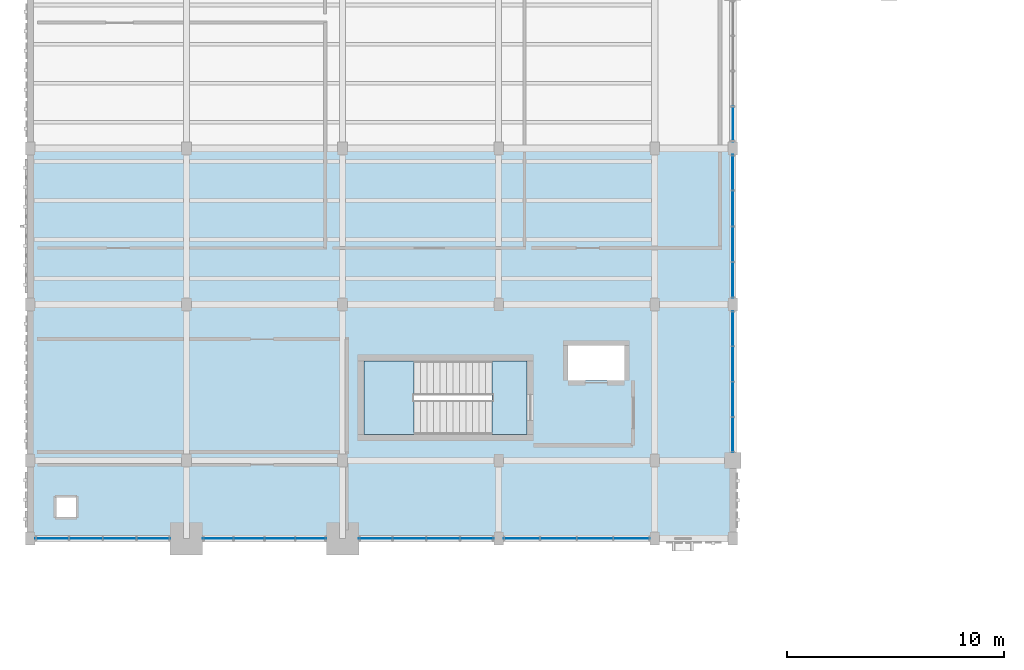
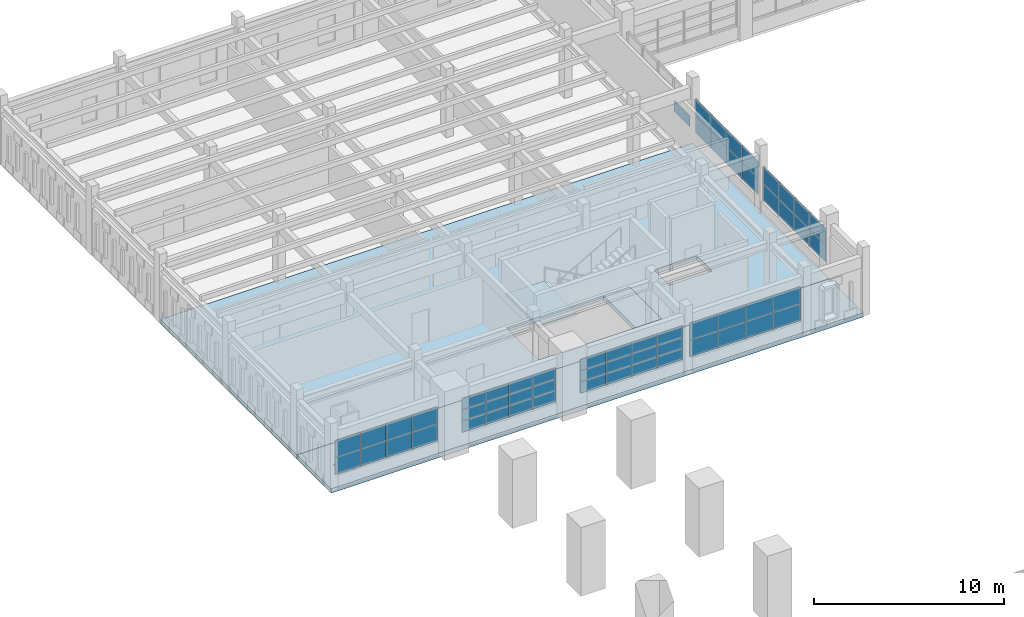
# One storey, part 36 of 69: 57 plates, 4 slabs, 8 elements without a shape of their own.
"""IFC4 building model written with IfcOpenShell, lengths in metres."""

from ifc_helpers import new_model, si_unit, direction, frame, origin, origin_2d, place, context, subcontext, project, spatial, polyline, rectangle, outline, extrude, material, layer, layer_set, type_object, element, aggregate, save


model = new_model("IFC4")

# Units and contexts
model_context = context("Model", 3, precision=1e-05, world=origin(), true_north=direction((0.0, 1.0)))
body_context = subcontext(model_context, "Body", "Model", "MODEL_VIEW")
ifc_project = project(units=[si_unit("LENGTHUNIT", "METRE"), si_unit("AREAUNIT", "SQUARE_METRE"), si_unit("VOLUMEUNIT", "CUBIC_METRE"), si_unit("PLANEANGLEUNIT", "RADIAN"), si_unit("MASSUNIT", "GRAM", prefix="KILO")], contexts=[model_context])

# Site, building, storey
site_placement = place(None, origin())
site = spatial("IfcSite", under=ifc_project, at=site_placement, CompositionType="ELEMENT")
building_placement = place(site_placement, origin())
building = spatial("IfcBuilding", under=site, at=building_placement, Name="Nzembalo Square Collegiate School", CompositionType="ELEMENT")
storey_placement = place(building_placement, frame((0.0, 0.0, 5.10009765625)))
storey = spatial("IfcBuildingStorey", under=building, at=storey_placement, Name="L01", CompositionType="ELEMENT", Elevation=5.10009765625)

# Curtain wall, plates
ifc_material_1 = material(Name="Aluminium 6060-T66", Category="aluminium")
curtain_wall_type_1 = type_object("IfcCurtainWallType", Name="CW-01", PredefinedType="USERDEFINED", material=ifc_material_1)
curtain_wall_1_placement = place(storey_placement, origin())
curtain_wall_1 = element("IfcCurtainWall", 1, at=curtain_wall_1_placement, inside=storey, type_object=curtain_wall_type_1, Name="Curtain wall CW-01 cw:L01:064", ObjectType="UNITISED", PredefinedType="USERDEFINED")
ifc_material_2 = material(Name="Laminated solar-control double glazing", Category="glass")
ifc_layer_1 = layer(ifc_material_2, 0.028076171875, Name="Laminated solar-control double glazing")
ifc_layer_set_1 = layer_set([ifc_layer_1], Name="Laminated solar-control double glazing")
plate_type_1 = type_object("IfcPlateType", Name="PN01", PredefinedType="CURTAIN_PANEL", material=ifc_layer_set_1)
plate_1_placement = place(storey_placement, frame((17.06396484375, 79.199951171875, 0.85400390625), z_axis=(0.0, 0.0, 1.0), x_axis=(1.0, 0.0, 0.0)))
plate_1 = element("IfcPlate", 2, at=plate_1_placement, type_object=plate_type_1, Name="PN01 glazed panel 1-1", PredefinedType="CURTAIN_PANEL", context=body_context, shape_type="SweptSolid", body=[
    extrude(rectangle(XDim=1.416015625, YDim=0.028076171875, at=origin_2d()), origin(), (0.0, 0.0, 1.0), 0.716552734375),
])
plate_2_placement = place(storey_placement, frame((18.488037109375, 79.199951171875, 0.85400390625), z_axis=(0.0, 0.0, 1.0), x_axis=(1.0, 0.0, 0.0)))
plate_2 = element("IfcPlate", 3, at=plate_2_placement, type_object=plate_type_1, Name="PN01 glazed panel 1-2", PredefinedType="CURTAIN_PANEL", context=body_context, shape_type="SweptSolid", body=[
    extrude(rectangle(XDim=1.416015625, YDim=0.028076171875, at=origin_2d()), origin(), (0.0, 0.0, 1.0), 0.716552734375),
])
plate_3_placement = place(storey_placement, frame((19.912109375, 79.199951171875, 0.85400390625), z_axis=(0.0, 0.0, 1.0), x_axis=(1.0, 0.0, 0.0)))
plate_3 = element("IfcPlate", 4, at=plate_3_placement, type_object=plate_type_1, Name="PN01 glazed panel 1-3", PredefinedType="CURTAIN_PANEL", context=body_context, shape_type="SweptSolid", body=[
    extrude(rectangle(XDim=1.416015625, YDim=0.028076171875, at=origin_2d()), origin(), (0.0, 0.0, 1.0), 0.716552734375),
])
plate_4_placement = place(storey_placement, frame((21.3359375, 79.199951171875, 0.85400390625), z_axis=(0.0, 0.0, 1.0), x_axis=(1.0, 0.0, 0.0)))
plate_4 = element("IfcPlate", 5, at=plate_4_placement, type_object=plate_type_1, Name="PN01 glazed panel 1-4", PredefinedType="CURTAIN_PANEL", context=body_context, shape_type="SweptSolid", body=[
    extrude(rectangle(XDim=1.416015625, YDim=0.028076171875, at=origin_2d()), origin(), (0.0, 0.0, 1.0), 0.716552734375),
])
plate_5_placement = place(storey_placement, frame((17.06396484375, 79.199951171875, 1.57861328125), z_axis=(0.0, 0.0, 1.0), x_axis=(1.0, 0.0, 0.0)))
plate_5 = element("IfcPlate", 6, at=plate_5_placement, type_object=plate_type_1, Name="PN01 glazed panel 2-1", PredefinedType="CURTAIN_PANEL", context=body_context, shape_type="SweptSolid", body=[
    extrude(rectangle(XDim=1.416015625, YDim=0.028076171875, at=origin_2d()), origin(), (0.0, 0.0, 1.0), 0.716552734375),
])
plate_6_placement = place(storey_placement, frame((18.488037109375, 79.199951171875, 1.57861328125), z_axis=(0.0, 0.0, 1.0), x_axis=(1.0, 0.0, 0.0)))
plate_6 = element("IfcPlate", 7, at=plate_6_placement, type_object=plate_type_1, Name="PN01 glazed panel 2-2", PredefinedType="CURTAIN_PANEL", context=body_context, shape_type="SweptSolid", body=[
    extrude(rectangle(XDim=1.416015625, YDim=0.028076171875, at=origin_2d()), origin(), (0.0, 0.0, 1.0), 0.716552734375),
])
plate_7_placement = place(storey_placement, frame((19.912109375, 79.199951171875, 1.57861328125), z_axis=(0.0, 0.0, 1.0), x_axis=(1.0, 0.0, 0.0)))
plate_7 = element("IfcPlate", 8, at=plate_7_placement, type_object=plate_type_1, Name="PN01 glazed panel 2-3", PredefinedType="CURTAIN_PANEL", context=body_context, shape_type="SweptSolid", body=[
    extrude(rectangle(XDim=1.416015625, YDim=0.028076171875, at=origin_2d()), origin(), (0.0, 0.0, 1.0), 0.716552734375),
])
plate_8_placement = place(storey_placement, frame((21.3359375, 79.199951171875, 1.57861328125), z_axis=(0.0, 0.0, 1.0), x_axis=(1.0, 0.0, 0.0)))
plate_8 = element("IfcPlate", 9, at=plate_8_placement, type_object=plate_type_1, Name="PN01 glazed panel 2-4", PredefinedType="CURTAIN_PANEL", context=body_context, shape_type="SweptSolid", body=[
    extrude(rectangle(XDim=1.416015625, YDim=0.028076171875, at=origin_2d()), origin(), (0.0, 0.0, 1.0), 0.716552734375),
])
plate_9_placement = place(storey_placement, frame((17.06396484375, 79.199951171875, 2.30322265625), z_axis=(0.0, 0.0, 1.0), x_axis=(1.0, 0.0, 0.0)))
plate_9 = element("IfcPlate", 10, at=plate_9_placement, type_object=plate_type_1, Name="PN01 glazed panel 3-1", PredefinedType="CURTAIN_PANEL", context=body_context, shape_type="SweptSolid", body=[
    extrude(rectangle(XDim=1.416015625, YDim=0.028076171875, at=origin_2d()), origin(), (0.0, 0.0, 1.0), 0.716552734375),
])
plate_10_placement = place(storey_placement, frame((18.488037109375, 79.199951171875, 2.30322265625), z_axis=(0.0, 0.0, 1.0), x_axis=(1.0, 0.0, 0.0)))
plate_10 = element("IfcPlate", 11, at=plate_10_placement, type_object=plate_type_1, Name="PN01 glazed panel 3-2", PredefinedType="CURTAIN_PANEL", context=body_context, shape_type="SweptSolid", body=[
    extrude(rectangle(XDim=1.416015625, YDim=0.028076171875, at=origin_2d()), origin(), (0.0, 0.0, 1.0), 0.716552734375),
])
plate_11_placement = place(storey_placement, frame((19.912109375, 79.199951171875, 2.30322265625), z_axis=(0.0, 0.0, 1.0), x_axis=(1.0, 0.0, 0.0)))
plate_11 = element("IfcPlate", 12, at=plate_11_placement, type_object=plate_type_1, Name="PN01 glazed panel 3-3", PredefinedType="CURTAIN_PANEL", context=body_context, shape_type="SweptSolid", body=[
    extrude(rectangle(XDim=1.416015625, YDim=0.028076171875, at=origin_2d()), origin(), (0.0, 0.0, 1.0), 0.716552734375),
])
plate_12_placement = place(storey_placement, frame((21.3359375, 79.199951171875, 2.30322265625), z_axis=(0.0, 0.0, 1.0), x_axis=(1.0, 0.0, 0.0)))
plate_12 = element("IfcPlate", 13, at=plate_12_placement, type_object=plate_type_1, Name="PN01 glazed panel 3-4", PredefinedType="CURTAIN_PANEL", context=body_context, shape_type="SweptSolid", body=[
    extrude(rectangle(XDim=1.416015625, YDim=0.028076171875, at=origin_2d()), origin(), (0.0, 0.0, 1.0), 0.716552734375),
])
aggregate(curtain_wall_1, [plate_1, plate_2, plate_3, plate_4, plate_5, plate_6, plate_7, plate_8, plate_9, plate_10, plate_11, plate_12])

ifc_material_3 = material(Name="Aluminium 6060-T66", Category="aluminium")
curtain_wall_type_2 = type_object("IfcCurtainWallType", Name="CW-02", PredefinedType="USERDEFINED", material=ifc_material_3)
curtain_wall_2_placement = place(storey_placement, origin())
curtain_wall_2 = element("IfcCurtainWall", 14, at=curtain_wall_2_placement, inside=storey, type_object=curtain_wall_type_2, Name="Curtain wall CW-02 cw:L01:065", ObjectType="UNITISED", PredefinedType="USERDEFINED")
plate_13_placement = place(storey_placement, frame((24.32958984375, 79.199951171875, 0.85400390625), z_axis=(0.0, 0.0, 1.0), x_axis=(1.0, 0.0, 0.0)))
plate_13 = element("IfcPlate", 15, at=plate_13_placement, type_object=plate_type_1, Name="PN01 glazed panel 1-1", PredefinedType="CURTAIN_PANEL", context=body_context, shape_type="SweptSolid", body=[
    extrude(rectangle(XDim=1.54736328125, YDim=0.028076171875, at=origin_2d()), origin(), (0.0, 0.0, 1.0), 0.716552734375),
])
plate_14_placement = place(storey_placement, frame((25.884765625, 79.199951171875, 0.85400390625), z_axis=(0.0, 0.0, 1.0), x_axis=(1.0, 0.0, 0.0)))
plate_14 = element("IfcPlate", 16, at=plate_14_placement, type_object=plate_type_1, Name="PN01 glazed panel 1-2", PredefinedType="CURTAIN_PANEL", context=body_context, shape_type="SweptSolid", body=[
    extrude(rectangle(XDim=1.54736328125, YDim=0.028076171875, at=origin_2d()), origin(), (0.0, 0.0, 1.0), 0.716552734375),
])
plate_15_placement = place(storey_placement, frame((27.440185546875, 79.199951171875, 0.85400390625), z_axis=(0.0, 0.0, 1.0), x_axis=(1.0, 0.0, 0.0)))
plate_15 = element("IfcPlate", 17, at=plate_15_placement, type_object=plate_type_1, Name="PN01 glazed panel 1-3", PredefinedType="CURTAIN_PANEL", context=body_context, shape_type="SweptSolid", body=[
    extrude(rectangle(XDim=1.54736328125, YDim=0.028076171875, at=origin_2d()), origin(), (0.0, 0.0, 1.0), 0.716552734375),
])
plate_16_placement = place(storey_placement, frame((28.995361328125, 79.199951171875, 0.85400390625), z_axis=(0.0, 0.0, 1.0), x_axis=(1.0, 0.0, 0.0)))
plate_16 = element("IfcPlate", 18, at=plate_16_placement, type_object=plate_type_1, Name="PN01 glazed panel 1-4", PredefinedType="CURTAIN_PANEL", context=body_context, shape_type="SweptSolid", body=[
    extrude(rectangle(XDim=1.54736328125, YDim=0.028076171875, at=origin_2d()), origin(), (0.0, 0.0, 1.0), 0.716552734375),
])
plate_17_placement = place(storey_placement, frame((24.32958984375, 79.199951171875, 1.57861328125), z_axis=(0.0, 0.0, 1.0), x_axis=(1.0, 0.0, 0.0)))
plate_17 = element("IfcPlate", 19, at=plate_17_placement, type_object=plate_type_1, Name="PN01 glazed panel 2-1", PredefinedType="CURTAIN_PANEL", context=body_context, shape_type="SweptSolid", body=[
    extrude(rectangle(XDim=1.54736328125, YDim=0.028076171875, at=origin_2d()), origin(), (0.0, 0.0, 1.0), 0.716552734375),
])
plate_18_placement = place(storey_placement, frame((25.884765625, 79.199951171875, 1.57861328125), z_axis=(0.0, 0.0, 1.0), x_axis=(1.0, 0.0, 0.0)))
plate_18 = element("IfcPlate", 20, at=plate_18_placement, type_object=plate_type_1, Name="PN01 glazed panel 2-2", PredefinedType="CURTAIN_PANEL", context=body_context, shape_type="SweptSolid", body=[
    extrude(rectangle(XDim=1.54736328125, YDim=0.028076171875, at=origin_2d()), origin(), (0.0, 0.0, 1.0), 0.716552734375),
])
plate_19_placement = place(storey_placement, frame((27.440185546875, 79.199951171875, 1.57861328125), z_axis=(0.0, 0.0, 1.0), x_axis=(1.0, 0.0, 0.0)))
plate_19 = element("IfcPlate", 21, at=plate_19_placement, type_object=plate_type_1, Name="PN01 glazed panel 2-3", PredefinedType="CURTAIN_PANEL", context=body_context, shape_type="SweptSolid", body=[
    extrude(rectangle(XDim=1.54736328125, YDim=0.028076171875, at=origin_2d()), origin(), (0.0, 0.0, 1.0), 0.716552734375),
])
plate_20_placement = place(storey_placement, frame((28.995361328125, 79.199951171875, 1.57861328125), z_axis=(0.0, 0.0, 1.0), x_axis=(1.0, 0.0, 0.0)))
plate_20 = element("IfcPlate", 22, at=plate_20_placement, type_object=plate_type_1, Name="PN01 glazed panel 2-4", PredefinedType="CURTAIN_PANEL", context=body_context, shape_type="SweptSolid", body=[
    extrude(rectangle(XDim=1.54736328125, YDim=0.028076171875, at=origin_2d()), origin(), (0.0, 0.0, 1.0), 0.716552734375),
])
plate_21_placement = place(storey_placement, frame((24.32958984375, 79.199951171875, 2.30322265625), z_axis=(0.0, 0.0, 1.0), x_axis=(1.0, 0.0, 0.0)))
plate_21 = element("IfcPlate", 23, at=plate_21_placement, type_object=plate_type_1, Name="PN01 glazed panel 3-1", PredefinedType="CURTAIN_PANEL", context=body_context, shape_type="SweptSolid", body=[
    extrude(rectangle(XDim=1.54736328125, YDim=0.028076171875, at=origin_2d()), origin(), (0.0, 0.0, 1.0), 0.716552734375),
])
plate_22_placement = place(storey_placement, frame((25.884765625, 79.199951171875, 2.30322265625), z_axis=(0.0, 0.0, 1.0), x_axis=(1.0, 0.0, 0.0)))
plate_22 = element("IfcPlate", 24, at=plate_22_placement, type_object=plate_type_1, Name="PN01 glazed panel 3-2", PredefinedType="CURTAIN_PANEL", context=body_context, shape_type="SweptSolid", body=[
    extrude(rectangle(XDim=1.54736328125, YDim=0.028076171875, at=origin_2d()), origin(), (0.0, 0.0, 1.0), 0.716552734375),
])
plate_23_placement = place(storey_placement, frame((27.440185546875, 79.199951171875, 2.30322265625), z_axis=(0.0, 0.0, 1.0), x_axis=(1.0, 0.0, 0.0)))
plate_23 = element("IfcPlate", 25, at=plate_23_placement, type_object=plate_type_1, Name="PN01 glazed panel 3-3", PredefinedType="CURTAIN_PANEL", context=body_context, shape_type="SweptSolid", body=[
    extrude(rectangle(XDim=1.54736328125, YDim=0.028076171875, at=origin_2d()), origin(), (0.0, 0.0, 1.0), 0.716552734375),
])
plate_24_placement = place(storey_placement, frame((28.995361328125, 79.199951171875, 2.30322265625), z_axis=(0.0, 0.0, 1.0), x_axis=(1.0, 0.0, 0.0)))
plate_24 = element("IfcPlate", 26, at=plate_24_placement, type_object=plate_type_1, Name="PN01 glazed panel 3-4", PredefinedType="CURTAIN_PANEL", context=body_context, shape_type="SweptSolid", body=[
    extrude(rectangle(XDim=1.54736328125, YDim=0.028076171875, at=origin_2d()), origin(), (0.0, 0.0, 1.0), 0.716552734375),
])
aggregate(curtain_wall_2, [plate_13, plate_14, plate_15, plate_16, plate_17, plate_18, plate_19, plate_20, plate_21, plate_22, plate_23, plate_24])

# Curtain wall, plate
ifc_material_4 = material(Name="Aluminium 6060-T66", Category="aluminium")
curtain_wall_type_3 = type_object("IfcCurtainWallType", Name="CW-05", PredefinedType="USERDEFINED", material=ifc_material_4)
curtain_wall_3_placement = place(storey_placement, origin())
curtain_wall_3 = element("IfcCurtainWall", 27, at=curtain_wall_3_placement, inside=storey, type_object=curtain_wall_type_3, Name="Curtain wall CW-05 cw:L01:092", ObjectType="LANCET", PredefinedType="USERDEFINED")
plate_25_placement = place(storey_placement, frame((40.800048828125, 98.317138671875, 0.85400390625), z_axis=(0.0, 0.0, 1.0), x_axis=(0.0, 1.0, 0.0)))
plate_25 = element("IfcPlate", 28, at=plate_25_placement, type_object=plate_type_1, Name="PN01 glazed panel 1-1", PredefinedType="CURTAIN_PANEL", context=body_context, shape_type="SweptSolid", body=[
    extrude(rectangle(XDim=1.622314453125, YDim=0.028076171875, at=origin_2d()), origin(), (0.0, 0.0, 1.0), 0.716552734375),
])
aggregate(curtain_wall_3, [plate_25])

# Curtain wall, plates
ifc_material_5 = material(Name="Aluminium 6060-T66", Category="aluminium")
curtain_wall_type_4 = type_object("IfcCurtainWallType", Name="CW-08", PredefinedType="USERDEFINED", material=ifc_material_5)
curtain_wall_4_placement = place(storey_placement, origin())
curtain_wall_4 = element("IfcCurtainWall", 29, at=curtain_wall_4_placement, inside=storey, type_object=curtain_wall_type_4, Name="Curtain wall CW-08 cw:L01:063", ObjectType="LANCET", PredefinedType="USERDEFINED")
ifc_material_6 = material(Name="Acoustic laminated solar-control glazing", Category="glass")
ifc_layer_2 = layer(ifc_material_6, 0.031982421875, Name="Acoustic laminated solar-control glazing")
ifc_layer_set_2 = layer_set([ifc_layer_2], Name="Acoustic laminated solar-control glazing")
plate_type_2 = type_object("IfcPlateType", Name="PN02", PredefinedType="CURTAIN_PANEL", material=ifc_layer_set_2)
plate_26_placement = place(storey_placement, frame((9.404541015625, 79.199951171875, 0.853759765625), z_axis=(0.0, 0.0, 1.0), x_axis=(1.0, 0.0, 0.0)))
plate_26 = element("IfcPlate", 30, at=plate_26_placement, type_object=plate_type_2, Name="PN02 glazed panel 1-1", PredefinedType="CURTAIN_PANEL", context=body_context, shape_type="SweptSolid", body=[
    extrude(rectangle(XDim=1.54736328125, YDim=0.031982421875, at=origin_2d()), origin(), (0.0, 0.0, 1.0), 1.0791015625),
])
plate_27_placement = place(storey_placement, frame((10.9599609375, 79.199951171875, 0.853759765625), z_axis=(0.0, 0.0, 1.0), x_axis=(1.0, 0.0, 0.0)))
plate_27 = element("IfcPlate", 31, at=plate_27_placement, type_object=plate_type_2, Name="PN02 glazed panel 1-2", PredefinedType="CURTAIN_PANEL", context=body_context, shape_type="SweptSolid", body=[
    extrude(rectangle(XDim=1.54736328125, YDim=0.031982421875, at=origin_2d()), origin(), (0.0, 0.0, 1.0), 1.0791015625),
])
plate_28_placement = place(storey_placement, frame((12.51513671875, 79.199951171875, 0.853759765625), z_axis=(0.0, 0.0, 1.0), x_axis=(1.0, 0.0, 0.0)))
plate_28 = element("IfcPlate", 32, at=plate_28_placement, type_object=plate_type_2, Name="PN02 glazed panel 1-3", PredefinedType="CURTAIN_PANEL", context=body_context, shape_type="SweptSolid", body=[
    extrude(rectangle(XDim=1.54736328125, YDim=0.031982421875, at=origin_2d()), origin(), (0.0, 0.0, 1.0), 1.0791015625),
])
plate_29_placement = place(storey_placement, frame((14.0703125, 79.199951171875, 0.853759765625), z_axis=(0.0, 0.0, 1.0), x_axis=(1.0, 0.0, 0.0)))
plate_29 = element("IfcPlate", 33, at=plate_29_placement, type_object=plate_type_2, Name="PN02 glazed panel 1-4", PredefinedType="CURTAIN_PANEL", context=body_context, shape_type="SweptSolid", body=[
    extrude(rectangle(XDim=1.54736328125, YDim=0.031982421875, at=origin_2d()), origin(), (0.0, 0.0, 1.0), 1.0791015625),
])
plate_30_placement = place(storey_placement, frame((9.404541015625, 79.199951171875, 1.94091796875), z_axis=(0.0, 0.0, 1.0), x_axis=(1.0, 0.0, 0.0)))
plate_30 = element("IfcPlate", 34, at=plate_30_placement, type_object=plate_type_2, Name="PN02 glazed panel 2-1", PredefinedType="CURTAIN_PANEL", context=body_context, shape_type="SweptSolid", body=[
    extrude(rectangle(XDim=1.54736328125, YDim=0.031982421875, at=origin_2d()), origin(), (0.0, 0.0, 1.0), 1.0791015625),
])
plate_31_placement = place(storey_placement, frame((10.9599609375, 79.199951171875, 1.94091796875), z_axis=(0.0, 0.0, 1.0), x_axis=(1.0, 0.0, 0.0)))
plate_31 = element("IfcPlate", 35, at=plate_31_placement, type_object=plate_type_2, Name="PN02 glazed panel 2-2", PredefinedType="CURTAIN_PANEL", context=body_context, shape_type="SweptSolid", body=[
    extrude(rectangle(XDim=1.54736328125, YDim=0.031982421875, at=origin_2d()), origin(), (0.0, 0.0, 1.0), 1.0791015625),
])
plate_32_placement = place(storey_placement, frame((12.51513671875, 79.199951171875, 1.94091796875), z_axis=(0.0, 0.0, 1.0), x_axis=(1.0, 0.0, 0.0)))
plate_32 = element("IfcPlate", 36, at=plate_32_placement, type_object=plate_type_2, Name="PN02 glazed panel 2-3", PredefinedType="CURTAIN_PANEL", context=body_context, shape_type="SweptSolid", body=[
    extrude(rectangle(XDim=1.54736328125, YDim=0.031982421875, at=origin_2d()), origin(), (0.0, 0.0, 1.0), 1.0791015625),
])
plate_33_placement = place(storey_placement, frame((14.0703125, 79.199951171875, 1.94091796875), z_axis=(0.0, 0.0, 1.0), x_axis=(1.0, 0.0, 0.0)))
plate_33 = element("IfcPlate", 37, at=plate_33_placement, type_object=plate_type_2, Name="PN02 glazed panel 2-4", PredefinedType="CURTAIN_PANEL", context=body_context, shape_type="SweptSolid", body=[
    extrude(rectangle(XDim=1.54736328125, YDim=0.031982421875, at=origin_2d()), origin(), (0.0, 0.0, 1.0), 1.0791015625),
])
aggregate(curtain_wall_4, [plate_26, plate_27, plate_28, plate_29, plate_30, plate_31, plate_32, plate_33])

ifc_material_7 = material(Name="Aluminium 6060-T66", Category="aluminium")
curtain_wall_type_5 = type_object("IfcCurtainWallType", Name="CW-03", PredefinedType="USERDEFINED", material=ifc_material_7)
curtain_wall_5_placement = place(storey_placement, origin())
curtain_wall_5 = element("IfcCurtainWall", 38, at=curtain_wall_5_placement, inside=storey, type_object=curtain_wall_type_5, Name="Curtain wall CW-03 cw:L01:066", ObjectType="UNITISED", PredefinedType="USERDEFINED")
plate_34_placement = place(storey_placement, frame((31.0703125, 79.199951171875, 0.853759765625), z_axis=(0.0, 0.0, 1.0), x_axis=(1.0, 0.0, 0.0)))
plate_34 = element("IfcPlate", 39, at=plate_34_placement, type_object=plate_type_2, Name="PN02 glazed panel 1-1", PredefinedType="CURTAIN_PANEL", context=body_context, shape_type="SweptSolid", body=[
    extrude(rectangle(XDim=1.678466796875, YDim=0.031982421875, at=origin_2d()), origin(), (0.0, 0.0, 1.0), 1.0791015625),
])
plate_35_placement = place(storey_placement, frame((32.7568359375, 79.199951171875, 0.853759765625), z_axis=(0.0, 0.0, 1.0), x_axis=(1.0, 0.0, 0.0)))
plate_35 = element("IfcPlate", 40, at=plate_35_placement, type_object=plate_type_2, Name="PN02 glazed panel 1-2", PredefinedType="CURTAIN_PANEL", context=body_context, shape_type="SweptSolid", body=[
    extrude(rectangle(XDim=1.678466796875, YDim=0.031982421875, at=origin_2d()), origin(), (0.0, 0.0, 1.0), 1.0791015625),
])
plate_36_placement = place(storey_placement, frame((34.443359375, 79.199951171875, 0.853759765625), z_axis=(0.0, 0.0, 1.0), x_axis=(1.0, 0.0, 0.0)))
plate_36 = element("IfcPlate", 41, at=plate_36_placement, type_object=plate_type_2, Name="PN02 glazed panel 1-3", PredefinedType="CURTAIN_PANEL", context=body_context, shape_type="SweptSolid", body=[
    extrude(rectangle(XDim=1.678466796875, YDim=0.031982421875, at=origin_2d()), origin(), (0.0, 0.0, 1.0), 1.0791015625),
])
plate_37_placement = place(storey_placement, frame((36.129638671875, 79.199951171875, 0.853759765625), z_axis=(0.0, 0.0, 1.0), x_axis=(1.0, 0.0, 0.0)))
plate_37 = element("IfcPlate", 42, at=plate_37_placement, type_object=plate_type_2, Name="PN02 glazed panel 1-4", PredefinedType="CURTAIN_PANEL", context=body_context, shape_type="SweptSolid", body=[
    extrude(rectangle(XDim=1.678466796875, YDim=0.031982421875, at=origin_2d()), origin(), (0.0, 0.0, 1.0), 1.0791015625),
])
plate_38_placement = place(storey_placement, frame((31.0703125, 79.199951171875, 1.94091796875), z_axis=(0.0, 0.0, 1.0), x_axis=(1.0, 0.0, 0.0)))
plate_38 = element("IfcPlate", 43, at=plate_38_placement, type_object=plate_type_2, Name="PN02 glazed panel 2-1", PredefinedType="CURTAIN_PANEL", context=body_context, shape_type="SweptSolid", body=[
    extrude(rectangle(XDim=1.678466796875, YDim=0.031982421875, at=origin_2d()), origin(), (0.0, 0.0, 1.0), 1.0791015625),
])
plate_39_placement = place(storey_placement, frame((32.7568359375, 79.199951171875, 1.94091796875), z_axis=(0.0, 0.0, 1.0), x_axis=(1.0, 0.0, 0.0)))
plate_39 = element("IfcPlate", 44, at=plate_39_placement, type_object=plate_type_2, Name="PN02 glazed panel 2-2", PredefinedType="CURTAIN_PANEL", context=body_context, shape_type="SweptSolid", body=[
    extrude(rectangle(XDim=1.678466796875, YDim=0.031982421875, at=origin_2d()), origin(), (0.0, 0.0, 1.0), 1.0791015625),
])
plate_40_placement = place(storey_placement, frame((34.443359375, 79.199951171875, 1.94091796875), z_axis=(0.0, 0.0, 1.0), x_axis=(1.0, 0.0, 0.0)))
plate_40 = element("IfcPlate", 45, at=plate_40_placement, type_object=plate_type_2, Name="PN02 glazed panel 2-3", PredefinedType="CURTAIN_PANEL", context=body_context, shape_type="SweptSolid", body=[
    extrude(rectangle(XDim=1.678466796875, YDim=0.031982421875, at=origin_2d()), origin(), (0.0, 0.0, 1.0), 1.0791015625),
])
plate_41_placement = place(storey_placement, frame((36.129638671875, 79.199951171875, 1.94091796875), z_axis=(0.0, 0.0, 1.0), x_axis=(1.0, 0.0, 0.0)))
plate_41 = element("IfcPlate", 46, at=plate_41_placement, type_object=plate_type_2, Name="PN02 glazed panel 2-4", PredefinedType="CURTAIN_PANEL", context=body_context, shape_type="SweptSolid", body=[
    extrude(rectangle(XDim=1.678466796875, YDim=0.031982421875, at=origin_2d()), origin(), (0.0, 0.0, 1.0), 1.0791015625),
])
aggregate(curtain_wall_5, [plate_34, plate_35, plate_36, plate_37, plate_38, plate_39, plate_40, plate_41])

curtain_wall_6_placement = place(storey_placement, origin())
curtain_wall_6 = element("IfcCurtainWall", 47, at=curtain_wall_6_placement, inside=storey, type_object=curtain_wall_type_5, Name="Curtain wall CW-03 cw:L01:090", ObjectType="UNITISED", PredefinedType="USERDEFINED")
plate_42_placement = place(storey_placement, frame((40.800048828125, 83.9921875, 0.853759765625), z_axis=(0.0, 0.0, 1.0), x_axis=(0.0, 1.0, 0.0)))
plate_42 = element("IfcPlate", 48, at=plate_42_placement, type_object=plate_type_2, Name="PN02 glazed panel 1-1", PredefinedType="CURTAIN_PANEL", context=body_context, shape_type="SweptSolid", body=[
    extrude(rectangle(XDim=1.622314453125, YDim=0.031982421875, at=origin_2d()), origin(), (0.0, 0.0, 1.0), 1.0791015625),
])
plate_43_placement = place(storey_placement, frame((40.800048828125, 85.622314453125, 0.853759765625), z_axis=(0.0, 0.0, 1.0), x_axis=(0.0, 1.0, 0.0)))
plate_43 = element("IfcPlate", 49, at=plate_43_placement, type_object=plate_type_2, Name="PN02 glazed panel 1-2", PredefinedType="CURTAIN_PANEL", context=body_context, shape_type="SweptSolid", body=[
    extrude(rectangle(XDim=1.622314453125, YDim=0.031982421875, at=origin_2d()), origin(), (0.0, 0.0, 1.0), 1.0791015625),
])
plate_44_placement = place(storey_placement, frame((40.800048828125, 87.252685546875, 0.853759765625), z_axis=(0.0, 0.0, 1.0), x_axis=(0.0, 1.0, 0.0)))
plate_44 = element("IfcPlate", 50, at=plate_44_placement, type_object=plate_type_2, Name="PN02 glazed panel 1-3", PredefinedType="CURTAIN_PANEL", context=body_context, shape_type="SweptSolid", body=[
    extrude(rectangle(XDim=1.622314453125, YDim=0.031982421875, at=origin_2d()), origin(), (0.0, 0.0, 1.0), 1.0791015625),
])
plate_45_placement = place(storey_placement, frame((40.800048828125, 88.8828125, 0.853759765625), z_axis=(0.0, 0.0, 1.0), x_axis=(0.0, 1.0, 0.0)))
plate_45 = element("IfcPlate", 51, at=plate_45_placement, type_object=plate_type_2, Name="PN02 glazed panel 1-4", PredefinedType="CURTAIN_PANEL", context=body_context, shape_type="SweptSolid", body=[
    extrude(rectangle(XDim=1.622314453125, YDim=0.031982421875, at=origin_2d()), origin(), (0.0, 0.0, 1.0), 1.0791015625),
])
plate_46_placement = place(storey_placement, frame((40.800048828125, 83.9921875, 1.94091796875), z_axis=(0.0, 0.0, 1.0), x_axis=(0.0, 1.0, 0.0)))
plate_46 = element("IfcPlate", 52, at=plate_46_placement, type_object=plate_type_2, Name="PN02 glazed panel 2-1", PredefinedType="CURTAIN_PANEL", context=body_context, shape_type="SweptSolid", body=[
    extrude(rectangle(XDim=1.622314453125, YDim=0.031982421875, at=origin_2d()), origin(), (0.0, 0.0, 1.0), 1.0791015625),
])
plate_47_placement = place(storey_placement, frame((40.800048828125, 85.622314453125, 1.94091796875), z_axis=(0.0, 0.0, 1.0), x_axis=(0.0, 1.0, 0.0)))
plate_47 = element("IfcPlate", 53, at=plate_47_placement, type_object=plate_type_2, Name="PN02 glazed panel 2-2", PredefinedType="CURTAIN_PANEL", context=body_context, shape_type="SweptSolid", body=[
    extrude(rectangle(XDim=1.622314453125, YDim=0.031982421875, at=origin_2d()), origin(), (0.0, 0.0, 1.0), 1.0791015625),
])
plate_48_placement = place(storey_placement, frame((40.800048828125, 87.252685546875, 1.94091796875), z_axis=(0.0, 0.0, 1.0), x_axis=(0.0, 1.0, 0.0)))
plate_48 = element("IfcPlate", 54, at=plate_48_placement, type_object=plate_type_2, Name="PN02 glazed panel 2-3", PredefinedType="CURTAIN_PANEL", context=body_context, shape_type="SweptSolid", body=[
    extrude(rectangle(XDim=1.622314453125, YDim=0.031982421875, at=origin_2d()), origin(), (0.0, 0.0, 1.0), 1.0791015625),
])
plate_49_placement = place(storey_placement, frame((40.800048828125, 88.8828125, 1.94091796875), z_axis=(0.0, 0.0, 1.0), x_axis=(0.0, 1.0, 0.0)))
plate_49 = element("IfcPlate", 55, at=plate_49_placement, type_object=plate_type_2, Name="PN02 glazed panel 2-4", PredefinedType="CURTAIN_PANEL", context=body_context, shape_type="SweptSolid", body=[
    extrude(rectangle(XDim=1.622314453125, YDim=0.031982421875, at=origin_2d()), origin(), (0.0, 0.0, 1.0), 1.0791015625),
])
aggregate(curtain_wall_6, [plate_42, plate_43, plate_44, plate_45, plate_46, plate_47, plate_48, plate_49])

ifc_material_8 = material(Name="Aluminium 6060-T66", Category="aluminium")
curtain_wall_type_6 = type_object("IfcCurtainWallType", Name="CW-04", PredefinedType="USERDEFINED", material=ifc_material_8)
curtain_wall_7_placement = place(storey_placement, origin())
curtain_wall_7 = element("IfcCurtainWall", 56, at=curtain_wall_7_placement, inside=storey, type_object=curtain_wall_type_6, Name="Curtain wall CW-04 cw:L01:091", ObjectType="UNITISED", PredefinedType="USERDEFINED")
plate_50_placement = place(storey_placement, frame((40.800048828125, 91.12646484375, 0.853759765625), z_axis=(0.0, 0.0, 1.0), x_axis=(0.0, 1.0, 0.0)))
plate_50 = element("IfcPlate", 57, at=plate_50_placement, type_object=plate_type_2, Name="PN02 glazed panel 1-1", PredefinedType="CURTAIN_PANEL", context=body_context, shape_type="SweptSolid", body=[
    extrude(rectangle(XDim=1.64111328125, YDim=0.031982421875, at=origin_2d()), origin(), (0.0, 0.0, 1.0), 1.0791015625),
])
plate_51_placement = place(storey_placement, frame((40.800048828125, 92.775390625, 0.853759765625), z_axis=(0.0, 0.0, 1.0), x_axis=(0.0, 1.0, 0.0)))
plate_51 = element("IfcPlate", 58, at=plate_51_placement, type_object=plate_type_2, Name="PN02 glazed panel 1-2", PredefinedType="CURTAIN_PANEL", context=body_context, shape_type="SweptSolid", body=[
    extrude(rectangle(XDim=1.64111328125, YDim=0.031982421875, at=origin_2d()), origin(), (0.0, 0.0, 1.0), 1.0791015625),
])
plate_52_placement = place(storey_placement, frame((40.800048828125, 94.424560546875, 0.853759765625), z_axis=(0.0, 0.0, 1.0), x_axis=(0.0, 1.0, 0.0)))
plate_52 = element("IfcPlate", 59, at=plate_52_placement, type_object=plate_type_2, Name="PN02 glazed panel 1-3", PredefinedType="CURTAIN_PANEL", context=body_context, shape_type="SweptSolid", body=[
    extrude(rectangle(XDim=1.64111328125, YDim=0.031982421875, at=origin_2d()), origin(), (0.0, 0.0, 1.0), 1.0791015625),
])
plate_53_placement = place(storey_placement, frame((40.800048828125, 96.073486328125, 0.853759765625), z_axis=(0.0, 0.0, 1.0), x_axis=(0.0, 1.0, 0.0)))
plate_53 = element("IfcPlate", 60, at=plate_53_placement, type_object=plate_type_2, Name="PN02 glazed panel 1-4", PredefinedType="CURTAIN_PANEL", context=body_context, shape_type="SweptSolid", body=[
    extrude(rectangle(XDim=1.64111328125, YDim=0.031982421875, at=origin_2d()), origin(), (0.0, 0.0, 1.0), 1.0791015625),
])
plate_54_placement = place(storey_placement, frame((40.800048828125, 91.12646484375, 1.94091796875), z_axis=(0.0, 0.0, 1.0), x_axis=(0.0, 1.0, 0.0)))
plate_54 = element("IfcPlate", 61, at=plate_54_placement, type_object=plate_type_2, Name="PN02 glazed panel 2-1", PredefinedType="CURTAIN_PANEL", context=body_context, shape_type="SweptSolid", body=[
    extrude(rectangle(XDim=1.64111328125, YDim=0.031982421875, at=origin_2d()), origin(), (0.0, 0.0, 1.0), 1.0791015625),
])
plate_55_placement = place(storey_placement, frame((40.800048828125, 92.775390625, 1.94091796875), z_axis=(0.0, 0.0, 1.0), x_axis=(0.0, 1.0, 0.0)))
plate_55 = element("IfcPlate", 62, at=plate_55_placement, type_object=plate_type_2, Name="PN02 glazed panel 2-2", PredefinedType="CURTAIN_PANEL", context=body_context, shape_type="SweptSolid", body=[
    extrude(rectangle(XDim=1.64111328125, YDim=0.031982421875, at=origin_2d()), origin(), (0.0, 0.0, 1.0), 1.0791015625),
])
plate_56_placement = place(storey_placement, frame((40.800048828125, 94.424560546875, 1.94091796875), z_axis=(0.0, 0.0, 1.0), x_axis=(0.0, 1.0, 0.0)))
plate_56 = element("IfcPlate", 63, at=plate_56_placement, type_object=plate_type_2, Name="PN02 glazed panel 2-3", PredefinedType="CURTAIN_PANEL", context=body_context, shape_type="SweptSolid", body=[
    extrude(rectangle(XDim=1.64111328125, YDim=0.031982421875, at=origin_2d()), origin(), (0.0, 0.0, 1.0), 1.0791015625),
])
plate_57_placement = place(storey_placement, frame((40.800048828125, 96.073486328125, 1.94091796875), z_axis=(0.0, 0.0, 1.0), x_axis=(0.0, 1.0, 0.0)))
plate_57 = element("IfcPlate", 64, at=plate_57_placement, type_object=plate_type_2, Name="PN02 glazed panel 2-4", PredefinedType="CURTAIN_PANEL", context=body_context, shape_type="SweptSolid", body=[
    extrude(rectangle(XDim=1.64111328125, YDim=0.031982421875, at=origin_2d()), origin(), (0.0, 0.0, 1.0), 1.0791015625),
])
aggregate(curtain_wall_7, [plate_50, plate_51, plate_52, plate_53, plate_54, plate_55, plate_56, plate_57])

# Stair, slab
ifc_material_9 = material(Name="Precast concrete C40/50", Category="concrete")
stair_type = type_object("IfcStairType", Name="ST-26R", PredefinedType="HALF_TURN_STAIR", material=ifc_material_9)
stair_placement = place(storey_placement, origin())
stair = element("IfcStair", 65, at=stair_placement, inside=storey, type_object=stair_type, Name="Escape stair ST-07 (C2 L01)", PredefinedType="HALF_TURN_STAIR")
ifc_material_10 = material(Name="Precast concrete C40/50", Category="concrete")
ifc_layer_3 = layer(ifc_material_10, 0.199951171875, Name="Precast concrete C40/50")
ifc_layer_set_3 = layer_set([ifc_layer_3], Name="Precast concrete C40/50")
slab_type_1 = type_object("IfcSlabType", Name="SL-LDG", PredefinedType="LANDING", material=ifc_layer_set_3)
slab_1_placement = place(storey_placement, frame((0.0, 0.0, 2.010009765625)))
slab_1 = element("IfcSlab", 66, at=slab_1_placement, type_object=slab_type_1, Name="ST-07 landing 1", PredefinedType="LANDING", context=body_context, shape_type="SweptSolid", body=[
    extrude(outline(polyline([(26.10009765625, 87.39990234375), (23.800048828125, 87.39990234375), (23.800048828125, 84.0), (26.10009765625, 84.0), (26.10009765625, 87.39990234375)])), origin(), (0.0, 0.0, 1.0), 0.199951171875),
])
aggregate(stair, [slab_1])

# Slabs
ifc_material_11 = material(Name="Concrete C35/45", Category="concrete")
ifc_layer_4 = layer(ifc_material_11, 0.284912109375, Name="Concrete C35/45")
ifc_layer_set_4 = layer_set([ifc_layer_4], Name="Concrete C35/45")
slab_type_2 = type_object("IfcSlabType", Name="SL-01", PredefinedType="FLOOR", material=ifc_layer_set_4)
slab_2_placement = place(storey_placement, frame((0.0, 0.0, -0.28515625)))
element("IfcSlab", 67, at=slab_2_placement, inside=storey, type_object=slab_type_2, Name="Slab SL-L01-37", PredefinedType="FLOOR", context=body_context, shape_type="SweptSolid", body=[
    extrude(outline(polyline([(8.39990234375, 79.199951171875), (40.800048828125, 79.199951171875), (40.800048828125, 82.800048828125), (8.39990234375, 82.800048828125), (8.39990234375, 79.199951171875)]), holes=[polyline([(9.60009765625, 80.199951171875), (10.5, 80.199951171875), (10.5, 81.10009765625), (9.60009765625, 81.10009765625), (9.60009765625, 80.199951171875)])]), origin(), (0.0, 0.0, 1.0), 0.28515625),
])
slab_3_placement = place(storey_placement, frame((0.0, 0.0, -0.28515625)))
element("IfcSlab", 68, at=slab_3_placement, inside=storey, type_object=slab_type_2, Name="Slab SL-L01-38", PredefinedType="FLOOR", context=body_context, shape_type="SweptSolid", body=[
    extrude(outline(polyline([(8.39990234375, 82.800048828125), (40.800048828125, 82.800048828125), (40.800048828125, 97.199951171875), (8.39990234375, 97.199951171875), (8.39990234375, 82.800048828125)]), holes=[polyline([(33.199951171875, 86.5), (35.800048828125, 86.5), (35.800048828125, 88.10009765625), (33.199951171875, 88.10009765625), (33.199951171875, 86.5)]), polyline([(31.300048828125, 87.39990234375), (23.800048828125, 87.39990234375), (23.800048828125, 84.0), (31.300048828125, 84.0), (31.300048828125, 87.39990234375)])]), origin(), (0.0, 0.0, 1.0), 0.28515625),
])
slab_4_placement = place(storey_placement, frame((0.0, 0.0, -0.28515625)))
element("IfcSlab", 69, at=slab_4_placement, inside=storey, type_object=slab_type_2, Name="Core C2 floor landing slab SL-L01-C2", PredefinedType="FLOOR", context=body_context, shape_type="SweptSolid", body=[
    extrude(outline(polyline([(29.699951171875, 84.0), (31.300048828125, 84.0), (31.300048828125, 87.39990234375), (29.699951171875, 87.39990234375), (29.699951171875, 84.0)])), origin(), (0.0, 0.0, 1.0), 0.28515625),
])

save(model, "model.ifc")
